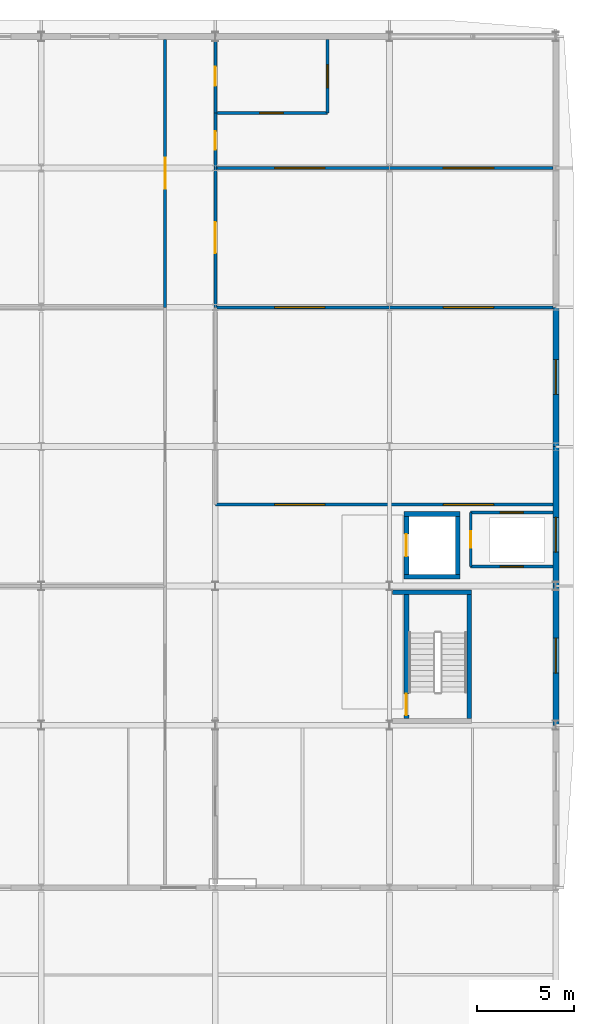
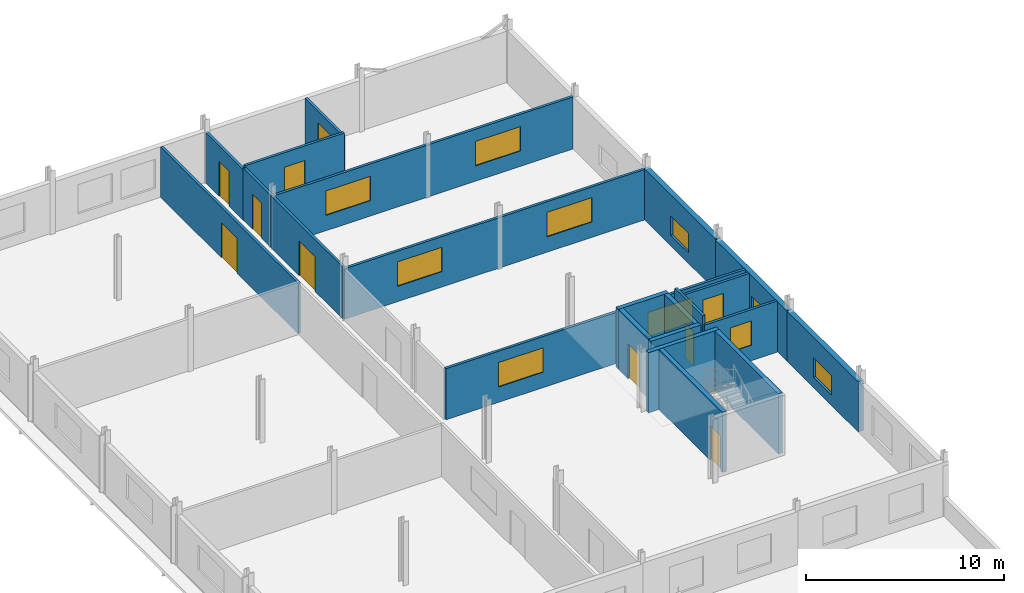
# One storey, part 67 of 78: 22 walls, 13 windows, 7 doors, 20 openings.
"""IFC4 building model written with IfcOpenShell, lengths in metres."""

from ifc_helpers import new_model, si_unit, direction, frame, frame_2d, origin, place, context, subcontext, project, spatial, rectangle, extrude, material, layer, layer_set, type_object, element, fill, save


model = new_model("IFC4")

# Units and contexts
model_context = context("Model", 3, precision=1e-05, world=origin(), true_north=direction((0.0, 1.0)))
body_context = subcontext(model_context, "Body", "Model", "MODEL_VIEW")
ifc_project = project(units=[si_unit("LENGTHUNIT", "METRE"), si_unit("AREAUNIT", "SQUARE_METRE"), si_unit("VOLUMEUNIT", "CUBIC_METRE"), si_unit("PLANEANGLEUNIT", "RADIAN"), si_unit("MASSUNIT", "GRAM", prefix="KILO")], contexts=[model_context])

# Site, building, storey
site_placement = place(None, origin())
site = spatial("IfcSite", under=ifc_project, at=site_placement, CompositionType="ELEMENT")
building_placement = place(site_placement, origin())
building = spatial("IfcBuilding", under=site, at=building_placement, Name="Vinh Khe Railworks Police Headquarters", CompositionType="ELEMENT")
storey_placement = place(building_placement, frame((0.0, 0.0, 13.199951171875)))
storey = spatial("IfcBuildingStorey", under=building, at=storey_placement, Name="L03", CompositionType="ELEMENT", Elevation=13.199951171875)

# Wall
ifc_material_1 = material(Name="Concrete C40/50 (B40)", Category="concrete")
ifc_layer_1 = layer(ifc_material_1, 0.25)
ifc_layer_set_1 = layer_set([ifc_layer_1], Name="Concrete C40/50 (B40)")
wall_type_1 = type_object("IfcWallType", Name="Core Shear Wall 250", PredefinedType="SHEAR", material=ifc_layer_set_1)
wall_1_placement = place(storey_placement, frame((105.14990234375, 137.675048828125, 0.0), z_axis=(0.0, 0.0, 1.0), x_axis=(1.0, 0.0, 0.0)))
element("IfcWall", 1, at=wall_1_placement, inside=storey, type_object=wall_type_1, Name="Core C3 STAIR-N Shear Wall (L03)", PredefinedType="SHEAR", context=body_context, shape_type="SweptSolid", body=[
    extrude(rectangle(XDim=4.10009765625, YDim=0.25, at=frame_2d((2.050048828125, 0.0))), origin(), (0.0, 0.0, 1.0), 3.699951171875),
])

# Wall, opening, door
wall_2_placement = place(storey_placement, frame((105.875, 131.14990234375, 0.0), z_axis=(0.0, 0.0, 1.0), x_axis=(0.0, 1.0, 0.0)))
wall_2 = element("IfcWall", 2, at=wall_2_placement, inside=storey, type_object=wall_type_1, Name="Core C3 STAIR-W Shear Wall (L03)", PredefinedType="SHEAR", context=body_context, shape_type="SweptSolid", body=[
    extrude(rectangle(XDim=6.400146484375, YDim=0.25, at=frame_2d((3.2001953125, 0.0))), origin(), (0.0, 0.0, 1.0), 3.699951171875),
])
opening_1_placement = place(wall_2_placement, frame((0.169921875, 0.0, 0.0)))
opening_1 = element("IfcOpeningElement", 3, at=opening_1_placement, cuts=wall_2, Name="Opening FD-01", PredefinedType="OPENING", context=body_context, shape_type="SweptSolid", body=[
    extrude(rectangle(XDim=1.10009765625, YDim=2.14990234375, at=frame_2d((0.550048828125, 1.074951171875))), frame((0.0, 0.139892578125, 0.0), z_axis=(0.0, -1.0, 0.0), x_axis=(1.0, 0.0, 0.0)), (0.0, 0.0, 1.0), 0.27978515625),
])
ifc_material_2 = material(Name="Painted galvanised steel", Category="steel")
door_type_1 = type_object("IfcDoorType", Name="FD-1100x2150", OperationType="NOTDEFINED", PredefinedType="DOOR", material=ifc_material_2)
door_1_placement = place(opening_1_placement, origin())
door_1 = element("IfcDoor", 4, at=door_1_placement, inside=storey, type_object=door_type_1, Name="Escape Stair ST-03 Fire Door L03", OperationType="SINGLE_SWING_RIGHT", OverallHeight=2.14990234375, OverallWidth=1.10009765625, PredefinedType="DOOR", context=body_context, shape_type="SweptSolid", body=[
    extrude(rectangle(XDim=1.10009765625, YDim=2.14990234375, at=frame_2d((0.550048828125, 1.074951171875))), frame((0.0, 0.02490234375, 0.0), z_axis=(0.0, -1.0, 0.0), x_axis=(1.0, 0.0, 0.0)), (0.0, 0.0, 1.0), 0.050048828125),
])
fill(opening_1, door_1)

# Walls
wall_3_placement = place(storey_placement, frame((109.125, 131.14990234375, 0.0), z_axis=(0.0, 0.0, 1.0), x_axis=(0.0, 1.0, 0.0)))
element("IfcWall", 5, at=wall_3_placement, inside=storey, type_object=wall_type_1, Name="Core C3 STAIR-E Shear Wall (L03)", PredefinedType="SHEAR", context=body_context, shape_type="SweptSolid", body=[
    extrude(rectangle(XDim=6.400146484375, YDim=0.25, at=frame_2d((3.2001953125, 0.0))), origin(), (0.0, 0.0, 1.0), 3.699951171875),
])
for number, where, z_axis, x_axis, name in (
    (6, (105.75, 138.47509765625, 0.0), (0.0, 0.0, 1.0), (1.0, 0.0, 0.0), "Core C3 PL-S Lift Shaft Wall (L03)"),
    (7, (105.75, 141.72509765625, 0.0), (0.0, 0.0, 1.0), (1.0, 0.0, 0.0), "Core C3 PL-N Lift Shaft Wall (L03)"),
):
    element("IfcWall", number, at=place(storey_placement, frame(where, z_axis=z_axis, x_axis=x_axis)), inside=storey, type_object=wall_type_1, Name=name, PredefinedType="SHEAR", context=body_context, shape_type="SweptSolid", body=[
        extrude(rectangle(XDim=2.89990234375, YDim=0.25, at=frame_2d((1.449951171875, 0.0))), origin(), (0.0, 0.0, 1.0), 3.699951171875),
    ])

# Wall, opening, door
wall_4_placement = place(storey_placement, frame((105.875, 138.60009765625, 0.0), z_axis=(0.0, 0.0, 1.0), x_axis=(0.0, 1.0, 0.0)))
wall_4 = element("IfcWall", 8, at=wall_4_placement, inside=storey, type_object=wall_type_1, Name="Core C3 PL-W Lift Shaft Wall (L03)", PredefinedType="SHEAR", context=body_context, shape_type="SweptSolid", body=[
    extrude(rectangle(XDim=3.0, YDim=0.25, at=frame_2d((1.5, 0.0))), origin(), (0.0, 0.0, 1.0), 3.699951171875),
])
opening_2_placement = place(wall_4_placement, frame((0.925048828125, 0.0, 0.0)))
opening_2 = element("IfcOpeningElement", 9, at=opening_2_placement, cuts=wall_4, Name="Opening LD-03", PredefinedType="OPENING", context=body_context, shape_type="SweptSolid", body=[
    extrude(rectangle(XDim=1.14990234375, YDim=2.14990234375, at=frame_2d((0.574951171875, 1.074951171875))), frame((0.0, 0.139892578125, 0.0), z_axis=(0.0, -1.0, 0.0), x_axis=(1.0, 0.0, 0.0)), (0.0, 0.0, 1.0), 0.27978515625),
])
door_type_2 = type_object("IfcDoorType", Name="LD-CUST-1150", OperationType="SLIDING_TO_LEFT", PredefinedType="DOOR", material=ifc_material_2)
door_2_placement = place(opening_2_placement, origin())
door_2 = element("IfcDoor", 10, at=door_2_placement, inside=storey, type_object=door_type_2, Name="Lift Landing Door PL-03 L03", OperationType="SLIDING_TO_LEFT", OverallHeight=2.14990234375, OverallWidth=1.14990234375, PredefinedType="DOOR", context=body_context, shape_type="SweptSolid", body=[
    extrude(rectangle(XDim=1.14990234375, YDim=2.14990234375, at=frame_2d((0.574951171875, 1.074951171875))), frame((0.0, 0.02490234375, 0.0), z_axis=(0.0, -1.0, 0.0), x_axis=(1.0, 0.0, 0.0)), (0.0, 0.0, 1.0), 0.050048828125),
])
fill(opening_2, door_2)

# Wall
wall_5_placement = place(storey_placement, frame((108.52490234375, 138.60009765625, 0.0), z_axis=(0.0, 0.0, 1.0), x_axis=(0.0, 1.0, 0.0)))
element("IfcWall", 11, at=wall_5_placement, inside=storey, type_object=wall_type_1, Name="Core C3 PL-E Lift Shaft Wall (L03)", PredefinedType="SHEAR", context=body_context, shape_type="SweptSolid", body=[
    extrude(rectangle(XDim=3.0, YDim=0.25, at=frame_2d((1.5, 0.0))), origin(), (0.0, 0.0, 1.0), 3.699951171875),
])

# Wall, opening, window
ifc_material_3 = material(Name="Clay brickwork", Category="masonry")
ifc_layer_2 = layer(ifc_material_3, 0.300048828125)
ifc_layer_set_2 = layer_set([ifc_layer_2], Name="Clay brickwork")
wall_type_2 = type_object("IfcWallType", Name="EW-BRK-300", PredefinedType="SOLIDWALL", material=ifc_layer_set_2)
wall_6_placement = place(storey_placement, frame((113.60009765625, 130.800048828125, 0.0), z_axis=(0.0, 0.0, 1.0), x_axis=(0.0, 1.0, 0.0)))
wall_6 = element("IfcWall", 12, at=wall_6_placement, inside=storey, type_object=wall_type_2, Name="Exterior Brick Wall EW-L03-V6E-02", PredefinedType="SOLIDWALL", context=body_context, shape_type="SweptSolid", body=[
    extrude(rectangle(XDim=7.199951171875, YDim=0.300048828125, at=frame_2d((3.60009765625, 0.0))), origin(), (0.0, 0.0, 1.0), 3.094970703125),
])
opening_3_placement = place(wall_6_placement, frame((2.699951171875, 0.0, 0.64990234375)))
opening_3 = element("IfcOpeningElement", 13, at=opening_3_placement, cuts=wall_6, Name="Opening WN-08", PredefinedType="OPENING", context=body_context, shape_type="SweptSolid", body=[
    extrude(rectangle(XDim=1.800048828125, YDim=1.199951171875, at=frame_2d((0.89990234375, 0.60009765625))), frame((0.0, 0.1650390625, 0.0), z_axis=(0.0, -1.0, 0.0), x_axis=(1.0, 0.0, 0.0)), (0.0, 0.0, 1.0), 0.329833984375),
])
ifc_material_4 = material(Name="Double-glazed solar-control glass in dark steel frame", Category="steel")
window_type_1 = type_object("IfcWindowType", Name="WIN-WN-08", PartitioningType="SINGLE_PANEL", PredefinedType="WINDOW", material=ifc_material_4)
window_1_placement = place(opening_3_placement, origin())
window_1 = element("IfcWindow", 14, at=window_1_placement, inside=storey, type_object=window_type_1, Name="Casement Window WN-08", OverallHeight=1.199951171875, OverallWidth=1.800048828125, PartitioningType="SINGLE_PANEL", PredefinedType="WINDOW", context=body_context, shape_type="SweptSolid", body=[
    extrude(rectangle(XDim=1.800048828125, YDim=1.199951171875, at=frame_2d((0.89990234375, 0.60009765625))), frame((0.0, 0.030029296875, 0.0), z_axis=(0.0, -1.0, 0.0), x_axis=(1.0, 0.0, 0.0)), (0.0, 0.0, 1.0), 0.06005859375),
])
fill(opening_3, window_1)

wall_7_placement = place(storey_placement, frame((113.60009765625, 138.0, 0.0), z_axis=(0.0, 0.0, 1.0), x_axis=(0.0, 1.0, 0.0)))
wall_7 = element("IfcWall", 15, at=wall_7_placement, inside=storey, type_object=wall_type_2, Name="Exterior Brick Wall EW-L03-V6E-03", PredefinedType="SOLIDWALL", context=body_context, shape_type="SweptSolid", body=[
    extrude(rectangle(XDim=7.199951171875, YDim=0.300048828125, at=frame_2d((3.60009765625, 0.0))), origin(), (0.0, 0.0, 1.0), 3.094970703125),
])
opening_4_placement = place(wall_7_placement, frame((1.75, 0.0, 0.64990234375)))
opening_4 = element("IfcOpeningElement", 16, at=opening_4_placement, cuts=wall_7, Name="Opening WN-08", PredefinedType="OPENING", context=body_context, shape_type="SweptSolid", body=[
    extrude(rectangle(XDim=1.800048828125, YDim=1.199951171875, at=frame_2d((0.89990234375, 0.60009765625))), frame((0.0, 0.1650390625, 0.0), z_axis=(0.0, -1.0, 0.0), x_axis=(1.0, 0.0, 0.0)), (0.0, 0.0, 1.0), 0.329833984375),
])
window_2_placement = place(opening_4_placement, origin())
window_2 = element("IfcWindow", 17, at=window_2_placement, inside=storey, type_object=window_type_1, Name="Casement Window WN-08", OverallHeight=1.199951171875, OverallWidth=1.800048828125, PartitioningType="SINGLE_PANEL", PredefinedType="WINDOW", context=body_context, shape_type="SweptSolid", body=[
    extrude(rectangle(XDim=1.800048828125, YDim=1.199951171875, at=frame_2d((0.89990234375, 0.60009765625))), frame((0.0, 0.030029296875, 0.0), z_axis=(0.0, -1.0, 0.0), x_axis=(1.0, 0.0, 0.0)), (0.0, 0.0, 1.0), 0.06005859375),
])
fill(opening_4, window_2)

wall_8_placement = place(storey_placement, frame((113.60009765625, 145.199951171875, 0.0), z_axis=(0.0, 0.0, 1.0), x_axis=(0.0, 1.0, 0.0)))
wall_8 = element("IfcWall", 18, at=wall_8_placement, inside=storey, type_object=wall_type_2, Name="Exterior Brick Wall EW-L03-V6E-04", PredefinedType="SOLIDWALL", context=body_context, shape_type="SweptSolid", body=[
    extrude(rectangle(XDim=7.199951171875, YDim=0.300048828125, at=frame_2d((3.60009765625, 0.0))), origin(), (0.0, 0.0, 1.0), 3.14501953125),
])
opening_5_placement = place(wall_8_placement, frame((2.699951171875, 0.0, 0.64990234375)))
opening_5 = element("IfcOpeningElement", 19, at=opening_5_placement, cuts=wall_8, Name="Opening WN-08", PredefinedType="OPENING", context=body_context, shape_type="SweptSolid", body=[
    extrude(rectangle(XDim=1.800048828125, YDim=1.199951171875, at=frame_2d((0.89990234375, 0.60009765625))), frame((0.0, 0.1650390625, 0.0), z_axis=(0.0, -1.0, 0.0), x_axis=(1.0, 0.0, 0.0)), (0.0, 0.0, 1.0), 0.329833984375),
])
window_3_placement = place(opening_5_placement, origin())
window_3 = element("IfcWindow", 20, at=window_3_placement, inside=storey, type_object=window_type_1, Name="Casement Window WN-08", OverallHeight=1.199951171875, OverallWidth=1.800048828125, PartitioningType="SINGLE_PANEL", PredefinedType="WINDOW", context=body_context, shape_type="SweptSolid", body=[
    extrude(rectangle(XDim=1.800048828125, YDim=1.199951171875, at=frame_2d((0.89990234375, 0.60009765625))), frame((0.0, 0.030029296875, 0.0), z_axis=(0.0, -1.0, 0.0), x_axis=(1.0, 0.0, 0.0)), (0.0, 0.0, 1.0), 0.06005859375),
])
fill(opening_5, window_3)

# Wall, openings, windows
ifc_material_5 = material(Name="Gypsum plasterboard on steel stud", Category="steel")
ifc_layer_3 = layer(ifc_material_5, 0.1201171875)
ifc_layer_set_3 = layer_set([ifc_layer_3], Name="Gypsum plasterboard on steel stud")
wall_type_3 = type_object("IfcWallType", Name="IW-PART-120", PredefinedType="PARTITIONING", material=ifc_layer_set_3)
wall_9_placement = place(storey_placement, frame((96.0, 142.199951171875, 0.0), z_axis=(0.0, 0.0, 1.0), x_axis=(1.0, 0.0, 0.0)))
wall_9 = element("IfcWall", 21, at=wall_9_placement, inside=storey, type_object=wall_type_3, Name="Interior Partition W-L03-V6B-CLS2-DIV", PredefinedType="PARTITIONING", context=body_context, shape_type="SweptSolid", body=[
    extrude(rectangle(XDim=17.43994140625, YDim=0.14990234375, at=frame_2d((8.719970703125, 0.0))), origin(), (0.0, 0.0, 1.0), 3.14501953125),
])
opening_6_placement = place(wall_9_placement, frame((3.06005859375, 0.0, 0.949951171875)))
opening_6 = element("IfcOpeningElement", 22, at=opening_6_placement, cuts=wall_9, Name="Opening WN-07", PredefinedType="OPENING", context=body_context, shape_type="SweptSolid", body=[
    extrude(rectangle(XDim=2.60009765625, YDim=1.5, at=frame_2d((1.300048828125, 0.75))), frame((0.0, 0.08984375, 0.0), z_axis=(0.0, -1.0, 0.0), x_axis=(1.0, 0.0, 0.0)), (0.0, 0.0, 1.0), 0.1796875),
])
opening_7_placement = place(wall_9_placement, frame((11.780029296875, 0.0, 0.949951171875)))
opening_7 = element("IfcOpeningElement", 23, at=opening_7_placement, cuts=wall_9, Name="Opening WN-07", PredefinedType="OPENING", context=body_context, shape_type="SweptSolid", body=[
    extrude(rectangle(XDim=2.60009765625, YDim=1.5, at=frame_2d((1.300048828125, 0.75))), frame((0.0, 0.08984375, 0.0), z_axis=(0.0, -1.0, 0.0), x_axis=(1.0, 0.0, 0.0)), (0.0, 0.0, 1.0), 0.1796875),
])
window_type_2 = type_object("IfcWindowType", Name="WIN-WN-07", PartitioningType="DOUBLE_PANEL_HORIZONTAL", PredefinedType="WINDOW", material=ifc_material_4)
window_4_placement = place(opening_6_placement, origin())
window_4 = element("IfcWindow", 24, at=window_4_placement, inside=storey, type_object=window_type_2, Name="Interior Acoustic Vision Window WN-07", OverallHeight=1.5, OverallWidth=2.60009765625, PartitioningType="SINGLE_PANEL", PredefinedType="WINDOW", context=body_context, shape_type="SweptSolid", body=[
    extrude(rectangle(XDim=2.60009765625, YDim=1.5, at=frame_2d((1.300048828125, 0.75))), frame((0.0, 0.030029296875, 0.0), z_axis=(0.0, -1.0, 0.0), x_axis=(1.0, 0.0, 0.0)), (0.0, 0.0, 1.0), 0.06005859375),
])
fill(opening_6, window_4)
window_5_placement = place(opening_7_placement, origin())
window_5 = element("IfcWindow", 25, at=window_5_placement, inside=storey, type_object=window_type_2, Name="Interior Acoustic Vision Window WN-07", OverallHeight=1.5, OverallWidth=2.60009765625, PartitioningType="SINGLE_PANEL", PredefinedType="WINDOW", context=body_context, shape_type="SweptSolid", body=[
    extrude(rectangle(XDim=2.60009765625, YDim=1.5, at=frame_2d((1.300048828125, 0.75))), frame((0.0, 0.030029296875, 0.0), z_axis=(0.0, -1.0, 0.0), x_axis=(1.0, 0.0, 0.0)), (0.0, 0.0, 1.0), 0.06005859375),
])
fill(opening_7, window_5)

wall_10_placement = place(storey_placement, frame((96.0, 152.39990234375, 0.0), z_axis=(0.0, 0.0, 1.0), x_axis=(1.0, 0.0, 0.0)))
wall_10 = element("IfcWall", 26, at=wall_10_placement, inside=storey, type_object=wall_type_3, Name="Interior Partition W-L03-V6B-CLS3-DIV", PredefinedType="PARTITIONING", context=body_context, shape_type="SweptSolid", body=[
    extrude(rectangle(XDim=17.43994140625, YDim=0.14990234375, at=frame_2d((8.719970703125, 0.0))), origin(), (0.0, 0.0, 1.0), 3.10498046875),
])
opening_8_placement = place(wall_10_placement, frame((3.06005859375, 0.0, 0.949951171875)))
opening_8 = element("IfcOpeningElement", 27, at=opening_8_placement, cuts=wall_10, Name="Opening WN-07", PredefinedType="OPENING", context=body_context, shape_type="SweptSolid", body=[
    extrude(rectangle(XDim=2.60009765625, YDim=1.5, at=frame_2d((1.300048828125, 0.75))), frame((0.0, 0.08984375, 0.0), z_axis=(0.0, -1.0, 0.0), x_axis=(1.0, 0.0, 0.0)), (0.0, 0.0, 1.0), 0.1796875),
])
opening_9_placement = place(wall_10_placement, frame((11.780029296875, 0.0, 0.949951171875)))
opening_9 = element("IfcOpeningElement", 28, at=opening_9_placement, cuts=wall_10, Name="Opening WN-07", PredefinedType="OPENING", context=body_context, shape_type="SweptSolid", body=[
    extrude(rectangle(XDim=2.60009765625, YDim=1.5, at=frame_2d((1.300048828125, 0.75))), frame((0.0, 0.08984375, 0.0), z_axis=(0.0, -1.0, 0.0), x_axis=(1.0, 0.0, 0.0)), (0.0, 0.0, 1.0), 0.1796875),
])
window_6_placement = place(opening_8_placement, origin())
window_6 = element("IfcWindow", 29, at=window_6_placement, inside=storey, type_object=window_type_2, Name="Interior Acoustic Vision Window WN-07", OverallHeight=1.5, OverallWidth=2.60009765625, PartitioningType="SINGLE_PANEL", PredefinedType="WINDOW", context=body_context, shape_type="SweptSolid", body=[
    extrude(rectangle(XDim=2.60009765625, YDim=1.5, at=frame_2d((1.300048828125, 0.75))), frame((0.0, 0.030029296875, 0.0), z_axis=(0.0, -1.0, 0.0), x_axis=(1.0, 0.0, 0.0)), (0.0, 0.0, 1.0), 0.06005859375),
])
fill(opening_8, window_6)
window_7_placement = place(opening_9_placement, origin())
window_7 = element("IfcWindow", 30, at=window_7_placement, inside=storey, type_object=window_type_2, Name="Interior Acoustic Vision Window WN-07", OverallHeight=1.5, OverallWidth=2.60009765625, PartitioningType="SINGLE_PANEL", PredefinedType="WINDOW", context=body_context, shape_type="SweptSolid", body=[
    extrude(rectangle(XDim=2.60009765625, YDim=1.5, at=frame_2d((1.300048828125, 0.75))), frame((0.0, 0.030029296875, 0.0), z_axis=(0.0, -1.0, 0.0), x_axis=(1.0, 0.0, 0.0)), (0.0, 0.0, 1.0), 0.06005859375),
])
fill(opening_9, window_7)

# Wall, opening, window
wall_11_placement = place(storey_placement, frame((96.0, 162.447021484375, 0.0), z_axis=(0.0, 0.0, 1.0), x_axis=(1.0, 0.0, 0.0)))
wall_11 = element("IfcWall", 31, at=wall_11_placement, inside=storey, type_object=wall_type_3, Name="Interior Partition W-L03-V6B-V6WC3S-DIV", PredefinedType="PARTITIONING", context=body_context, shape_type="SweptSolid", body=[
    extrude(rectangle(XDim=5.800048828125, YDim=0.14990234375, at=frame_2d((2.89990234375, 0.0))), origin(), (0.0, 0.0, 1.0), 3.344970703125),
])
opening_10_placement = place(wall_11_placement, frame((2.300048828125, 0.0, 0.949951171875)))
opening_10 = element("IfcOpeningElement", 32, at=opening_10_placement, cuts=wall_11, Name="Opening WN-10", PredefinedType="OPENING", context=body_context, shape_type="SweptSolid", body=[
    extrude(rectangle(XDim=1.199951171875, YDim=1.5, at=frame_2d((0.60009765625, 0.75))), frame((0.0, 0.08984375, 0.0), z_axis=(0.0, -1.0, 0.0), x_axis=(1.0, 0.0, 0.0)), (0.0, 0.0, 1.0), 0.1796875),
])
window_type_3 = type_object("IfcWindowType", Name="WIN-WN-10", PartitioningType="SINGLE_PANEL", PredefinedType="WINDOW", material=ifc_material_4)
window_8_placement = place(opening_10_placement, origin())
window_8 = element("IfcWindow", 33, at=window_8_placement, inside=storey, type_object=window_type_3, Name="Interior Acoustic Vision Window WN-10", OverallHeight=1.5, OverallWidth=1.199951171875, PartitioningType="SINGLE_PANEL", PredefinedType="WINDOW", context=body_context, shape_type="SweptSolid", body=[
    extrude(rectangle(XDim=1.199951171875, YDim=1.5, at=frame_2d((0.60009765625, 0.75))), frame((0.0, 0.030029296875, 0.0), z_axis=(0.0, -1.0, 0.0), x_axis=(1.0, 0.0, 0.0)), (0.0, 0.0, 1.0), 0.06005859375),
])
fill(opening_10, window_8)

wall_12_placement = place(storey_placement, frame((101.800048828125, 162.447021484375, 0.0), z_axis=(0.0, 0.0, 1.0), x_axis=(0.0, 1.0, 0.0)))
wall_12 = element("IfcWall", 34, at=wall_12_placement, inside=storey, type_object=wall_type_3, Name="Interior Partition W-L03-V6B-V6WC3-REAR", PredefinedType="PARTITIONING", context=body_context, shape_type="SweptSolid", body=[
    extrude(rectangle(XDim=3.79296875, YDim=0.14990234375, at=frame_2d((1.896484375, 0.0))), origin(), (0.0, 0.0, 1.0), 3.155029296875),
])
opening_11_placement = place(wall_12_placement, frame((1.29638671875, 0.0, 0.949951171875)))
opening_11 = element("IfcOpeningElement", 35, at=opening_11_placement, cuts=wall_12, Name="Opening WN-10", PredefinedType="OPENING", context=body_context, shape_type="SweptSolid", body=[
    extrude(rectangle(XDim=1.199951171875, YDim=1.5, at=frame_2d((0.60009765625, 0.75))), frame((0.0, 0.08984375, 0.0), z_axis=(0.0, -1.0, 0.0), x_axis=(1.0, 0.0, 0.0)), (0.0, 0.0, 1.0), 0.1796875),
])
window_9_placement = place(opening_11_placement, origin())
window_9 = element("IfcWindow", 36, at=window_9_placement, inside=storey, type_object=window_type_3, Name="Interior Acoustic Vision Window WN-10", OverallHeight=1.5, OverallWidth=1.199951171875, PartitioningType="SINGLE_PANEL", PredefinedType="WINDOW", context=body_context, shape_type="SweptSolid", body=[
    extrude(rectangle(XDim=1.199951171875, YDim=1.5, at=frame_2d((0.60009765625, 0.75))), frame((0.0, 0.030029296875, 0.0), z_axis=(0.0, -1.0, 0.0), x_axis=(1.0, 0.0, 0.0)), (0.0, 0.0, 1.0), 0.06005859375),
])
fill(opening_11, window_9)

# Wall, openings, windows
wall_13_placement = place(storey_placement, frame((96.0, 159.60009765625, 0.0), z_axis=(0.0, 0.0, 1.0), x_axis=(1.0, 0.0, 0.0)))
wall_13 = element("IfcWall", 37, at=wall_13_placement, inside=storey, type_object=wall_type_3, Name="Interior Partition W-L03-V6B-V6WC3-DIV", PredefinedType="PARTITIONING", context=body_context, shape_type="SweptSolid", body=[
    extrude(rectangle(XDim=17.43994140625, YDim=0.14990234375, at=frame_2d((8.719970703125, 0.0))), origin(), (0.0, 0.0, 1.0), 3.205078125),
])
opening_12_placement = place(wall_13_placement, frame((3.06005859375, 0.0, 0.949951171875)))
opening_12 = element("IfcOpeningElement", 38, at=opening_12_placement, cuts=wall_13, Name="Opening WN-07", PredefinedType="OPENING", context=body_context, shape_type="SweptSolid", body=[
    extrude(rectangle(XDim=2.60009765625, YDim=1.5, at=frame_2d((1.300048828125, 0.75))), frame((0.0, 0.08984375, 0.0), z_axis=(0.0, -1.0, 0.0), x_axis=(1.0, 0.0, 0.0)), (0.0, 0.0, 1.0), 0.1796875),
])
opening_13_placement = place(wall_13_placement, frame((11.780029296875, 0.0, 0.949951171875)))
opening_13 = element("IfcOpeningElement", 39, at=opening_13_placement, cuts=wall_13, Name="Opening WN-07", PredefinedType="OPENING", context=body_context, shape_type="SweptSolid", body=[
    extrude(rectangle(XDim=2.60009765625, YDim=1.5, at=frame_2d((1.300048828125, 0.75))), frame((0.0, 0.08984375, 0.0), z_axis=(0.0, -1.0, 0.0), x_axis=(1.0, 0.0, 0.0)), (0.0, 0.0, 1.0), 0.1796875),
])
window_10_placement = place(opening_12_placement, origin())
window_10 = element("IfcWindow", 40, at=window_10_placement, inside=storey, type_object=window_type_2, Name="Interior Acoustic Vision Window WN-07", OverallHeight=1.5, OverallWidth=2.60009765625, PartitioningType="SINGLE_PANEL", PredefinedType="WINDOW", context=body_context, shape_type="SweptSolid", body=[
    extrude(rectangle(XDim=2.60009765625, YDim=1.5, at=frame_2d((1.300048828125, 0.75))), frame((0.0, 0.030029296875, 0.0), z_axis=(0.0, -1.0, 0.0), x_axis=(1.0, 0.0, 0.0)), (0.0, 0.0, 1.0), 0.06005859375),
])
fill(opening_12, window_10)
window_11_placement = place(opening_13_placement, origin())
window_11 = element("IfcWindow", 41, at=window_11_placement, inside=storey, type_object=window_type_2, Name="Interior Acoustic Vision Window WN-07", OverallHeight=1.5, OverallWidth=2.60009765625, PartitioningType="SINGLE_PANEL", PredefinedType="WINDOW", context=body_context, shape_type="SweptSolid", body=[
    extrude(rectangle(XDim=2.60009765625, YDim=1.5, at=frame_2d((1.300048828125, 0.75))), frame((0.0, 0.030029296875, 0.0), z_axis=(0.0, -1.0, 0.0), x_axis=(1.0, 0.0, 0.0)), (0.0, 0.0, 1.0), 0.06005859375),
])
fill(opening_13, window_11)

# Wall, opening, window
ifc_material_6 = material(Name="Gypsum plasterboard on acoustic steel stud", Category="steel")
ifc_layer_4 = layer(ifc_material_6, 0.14990234375)
ifc_layer_set_4 = layer_set([ifc_layer_4], Name="Gypsum plasterboard on acoustic steel stud")
wall_type_4 = type_object("IfcWallType", Name="IW-PART-150", PredefinedType="PARTITIONING", material=ifc_layer_set_4)
wall_14_placement = place(storey_placement, frame((109.199951171875, 139.0, 0.0), z_axis=(0.0, 0.0, 1.0), x_axis=(1.0, 0.0, 0.0)))
wall_14 = element("IfcWall", 42, at=wall_14_placement, inside=storey, type_object=wall_type_4, Name="Interior Partition W-RSR-C3-S-L03", PredefinedType="PARTITIONING", context=body_context, shape_type="SweptSolid", body=[
    extrude(rectangle(XDim=4.239990234375, YDim=0.14990234375, at=frame_2d((2.1201171875, 0.0))), origin(), (0.0, 0.0, 1.0), 3.14501953125),
])
opening_14_placement = place(wall_14_placement, frame((1.52001953125, 0.0, 0.949951171875)))
opening_14 = element("IfcOpeningElement", 43, at=opening_14_placement, cuts=wall_14, Name="Opening WN-10", PredefinedType="OPENING", context=body_context, shape_type="SweptSolid", body=[
    extrude(rectangle(XDim=1.199951171875, YDim=1.5, at=frame_2d((0.60009765625, 0.75))), frame((0.0, 0.08984375, 0.0), z_axis=(0.0, -1.0, 0.0), x_axis=(1.0, 0.0, 0.0)), (0.0, 0.0, 1.0), 0.1796875),
])
window_12_placement = place(opening_14_placement, origin())
window_12 = element("IfcWindow", 44, at=window_12_placement, inside=storey, type_object=window_type_3, Name="Interior Acoustic Vision Window WN-10", OverallHeight=1.5, OverallWidth=1.199951171875, PartitioningType="SINGLE_PANEL", PredefinedType="WINDOW", context=body_context, shape_type="SweptSolid", body=[
    extrude(rectangle(XDim=1.199951171875, YDim=1.5, at=frame_2d((0.60009765625, 0.75))), frame((0.0, 0.030029296875, 0.0), z_axis=(0.0, -1.0, 0.0), x_axis=(1.0, 0.0, 0.0)), (0.0, 0.0, 1.0), 0.06005859375),
])
fill(opening_14, window_12)

wall_15_placement = place(storey_placement, frame((109.199951171875, 141.800048828125, 0.0), z_axis=(0.0, 0.0, 1.0), x_axis=(1.0, 0.0, 0.0)))
wall_15 = element("IfcWall", 45, at=wall_15_placement, inside=storey, type_object=wall_type_4, Name="Interior Partition W-RSR-C3-N-L03", PredefinedType="PARTITIONING", context=body_context, shape_type="SweptSolid", body=[
    extrude(rectangle(XDim=4.239990234375, YDim=0.14990234375, at=frame_2d((2.1201171875, 0.0))), origin(), (0.0, 0.0, 1.0), 3.14501953125),
])
opening_15_placement = place(wall_15_placement, frame((1.52001953125, 0.0, 0.949951171875)))
opening_15 = element("IfcOpeningElement", 46, at=opening_15_placement, cuts=wall_15, Name="Opening WN-10", PredefinedType="OPENING", context=body_context, shape_type="SweptSolid", body=[
    extrude(rectangle(XDim=1.199951171875, YDim=1.5, at=frame_2d((0.60009765625, 0.75))), frame((0.0, 0.08984375, 0.0), z_axis=(0.0, -1.0, 0.0), x_axis=(1.0, 0.0, 0.0)), (0.0, 0.0, 1.0), 0.1796875),
])
window_13_placement = place(opening_15_placement, origin())
window_13 = element("IfcWindow", 47, at=window_13_placement, inside=storey, type_object=window_type_3, Name="Interior Acoustic Vision Window WN-10", OverallHeight=1.5, OverallWidth=1.199951171875, PartitioningType="SINGLE_PANEL", PredefinedType="WINDOW", context=body_context, shape_type="SweptSolid", body=[
    extrude(rectangle(XDim=1.199951171875, YDim=1.5, at=frame_2d((0.60009765625, 0.75))), frame((0.0, 0.030029296875, 0.0), z_axis=(0.0, -1.0, 0.0), x_axis=(1.0, 0.0, 0.0)), (0.0, 0.0, 1.0), 0.06005859375),
])
fill(opening_15, window_13)

# Wall, opening, door
wall_16_placement = place(storey_placement, frame((109.199951171875, 139.0, 0.0), z_axis=(0.0, 0.0, 1.0), x_axis=(0.0, 1.0, 0.0)))
wall_16 = element("IfcWall", 48, at=wall_16_placement, inside=storey, type_object=wall_type_4, Name="Interior Partition W-RSR-C3-W-L03", PredefinedType="PARTITIONING", context=body_context, shape_type="SweptSolid", body=[
    extrude(rectangle(XDim=2.800048828125, YDim=0.14990234375, at=frame_2d((1.39990234375, 0.0))), origin(), (0.0, 0.0, 1.0), 3.695068359375),
])
opening_16_placement = place(wall_16_placement, frame((0.97509765625, 0.0, 0.0)))
opening_16 = element("IfcOpeningElement", 49, at=opening_16_placement, cuts=wall_16, Name="Opening FD-04", PredefinedType="OPENING", context=body_context, shape_type="SweptSolid", body=[
    extrude(rectangle(XDim=0.85009765625, YDim=2.10009765625, at=frame_2d((0.425048828125, 1.050048828125))), frame((0.0, 0.08984375, 0.0), z_axis=(0.0, -1.0, 0.0), x_axis=(1.0, 0.0, 0.0)), (0.0, 0.0, 1.0), 0.1796875),
])
door_type_3 = type_object("IfcDoorType", Name="FD-850x2100", OperationType="NOTDEFINED", PredefinedType="DOOR", material=ifc_material_2)
door_3_placement = place(opening_16_placement, frame((0.85009765625, 0.0, 0.0), z_axis=(0.0, 0.0, 1.0), x_axis=(-1.0, 0.0, 0.0)))
door_3 = element("IfcDoor", 50, at=door_3_placement, inside=storey, type_object=door_type_3, Name="Fume Riser Access Door", OperationType="SINGLE_SWING_RIGHT", OverallHeight=2.10009765625, OverallWidth=0.85009765625, PredefinedType="DOOR", context=body_context, shape_type="SweptSolid", body=[
    extrude(rectangle(XDim=0.85009765625, YDim=2.10009765625, at=frame_2d((0.425048828125, 1.050048828125))), frame((0.0, 0.02490234375, 0.0), z_axis=(0.0, -1.0, 0.0), x_axis=(1.0, 0.0, 0.0)), (0.0, 0.0, 1.0), 0.050048828125),
])
fill(opening_16, door_3)

wall_17_placement = place(storey_placement, frame((93.39990234375, 152.39990234375, 0.0), z_axis=(0.0, 0.0, 1.0), x_axis=(0.0, 1.0, 0.0)))
wall_17 = element("IfcWall", 51, at=wall_17_placement, inside=storey, type_object=wall_type_4, Name="Interior Partition W-L03-V6B-CLS1-CW", PredefinedType="PARTITIONING", context=body_context, shape_type="SweptSolid", body=[
    extrude(rectangle(XDim=13.840087890625, YDim=0.14990234375, at=frame_2d((6.919921875, 0.0))), origin(), (0.0, 0.0, 1.0), 3.10498046875),
])
opening_17_placement = place(wall_17_placement, frame((6.1201171875, 0.0, 0.0)))
opening_17 = element("IfcOpeningElement", 52, at=opening_17_placement, cuts=wall_17, Name="Opening D-03", PredefinedType="OPENING", context=body_context, shape_type="SweptSolid", body=[
    extrude(rectangle(XDim=1.60009765625, YDim=2.14990234375, at=frame_2d((0.800048828125, 1.074951171875))), frame((0.0, 0.08984375, 0.0), z_axis=(0.0, -1.0, 0.0), x_axis=(1.0, 0.0, 0.0)), (0.0, 0.0, 1.0), 0.1796875),
])
door_type_4 = type_object("IfcDoorType", Name="ID-1600x2150", OperationType="DOUBLE_DOOR_SINGLE_SWING", PredefinedType="DOOR", material=ifc_material_2)
door_4_placement = place(opening_17_placement, origin())
door_4 = element("IfcDoor", 53, at=door_4_placement, inside=storey, type_object=door_type_4, Name="Police Training Classroom 01 Door", OperationType="DOUBLE_DOOR_SINGLE_SWING", OverallHeight=2.14990234375, OverallWidth=1.60009765625, PredefinedType="DOOR", context=body_context, shape_type="SweptSolid", body=[
    extrude(rectangle(XDim=1.60009765625, YDim=2.14990234375, at=frame_2d((0.800048828125, 1.074951171875))), frame((0.0, 0.02490234375, 0.0), z_axis=(0.0, -1.0, 0.0), x_axis=(1.0, 0.0, 0.0)), (0.0, 0.0, 1.0), 0.050048828125),
])
fill(opening_17, door_4)

wall_18_placement = place(storey_placement, frame((96.0, 152.39990234375, 0.0), z_axis=(0.0, 0.0, 1.0), x_axis=(0.0, 1.0, 0.0)))
wall_18 = element("IfcWall", 54, at=wall_18_placement, inside=storey, type_object=wall_type_4, Name="Interior Partition W-L03-V6B-CLS3-CE", PredefinedType="PARTITIONING", context=body_context, shape_type="SweptSolid", body=[
    extrude(rectangle(XDim=7.2001953125, YDim=0.14990234375, at=frame_2d((3.60009765625, 0.0))), origin(), (0.0, 0.0, 1.0), 3.195068359375),
])
opening_18_placement = place(wall_18_placement, frame((2.800048828125, 0.0, 0.0)))
opening_18 = element("IfcOpeningElement", 55, at=opening_18_placement, cuts=wall_18, Name="Opening D-03", PredefinedType="OPENING", context=body_context, shape_type="SweptSolid", body=[
    extrude(rectangle(XDim=1.60009765625, YDim=2.14990234375, at=frame_2d((0.800048828125, 1.074951171875))), frame((0.0, 0.08984375, 0.0), z_axis=(0.0, -1.0, 0.0), x_axis=(1.0, 0.0, 0.0)), (0.0, 0.0, 1.0), 0.1796875),
])
door_5_placement = place(opening_18_placement, origin())
door_5 = element("IfcDoor", 56, at=door_5_placement, inside=storey, type_object=door_type_4, Name="Police Training Classroom 03 Door", OperationType="DOUBLE_DOOR_SINGLE_SWING", OverallHeight=2.14990234375, OverallWidth=1.60009765625, PredefinedType="DOOR", context=body_context, shape_type="SweptSolid", body=[
    extrude(rectangle(XDim=1.60009765625, YDim=2.14990234375, at=frame_2d((0.800048828125, 1.074951171875))), frame((0.0, 0.02490234375, 0.0), z_axis=(0.0, -1.0, 0.0), x_axis=(1.0, 0.0, 0.0)), (0.0, 0.0, 1.0), 0.050048828125),
])
fill(opening_18, door_5)

wall_19_placement = place(storey_placement, frame((96.0, 159.60009765625, 0.0), z_axis=(0.0, 0.0, 1.0), x_axis=(0.0, 1.0, 0.0)))
wall_19 = element("IfcWall", 57, at=wall_19_placement, inside=storey, type_object=wall_type_4, Name="Interior Partition W-L03-V6B-V6WC3S-CE", PredefinedType="PARTITIONING", context=body_context, shape_type="SweptSolid", body=[
    extrude(rectangle(XDim=2.846923828125, YDim=0.14990234375, at=frame_2d((1.42333984375, 0.0))), origin(), (0.0, 0.0, 1.0), 3.205078125),
])
opening_19_placement = place(wall_19_placement, frame((0.948974609375, 0.0, 0.0)))
opening_19 = element("IfcOpeningElement", 58, at=opening_19_placement, cuts=wall_19, Name="Opening D-01", PredefinedType="OPENING", context=body_context, shape_type="SweptSolid", body=[
    extrude(rectangle(XDim=0.949951171875, YDim=2.14990234375, at=frame_2d((0.47509765625, 1.074951171875))), frame((0.0, 0.08984375, 0.0), z_axis=(0.0, -1.0, 0.0), x_axis=(1.0, 0.0, 0.0)), (0.0, 0.0, 1.0), 0.1796875),
])
ifc_material_7 = material(Name="Seasoned hardwood timber", Category="wood")
door_type_5 = type_object("IfcDoorType", Name="ID-950x2150", OperationType="NOTDEFINED", PredefinedType="DOOR", material=ifc_material_7)
door_6_placement = place(opening_19_placement, origin())
door_6 = element("IfcDoor", 59, at=door_6_placement, inside=storey, type_object=door_type_5, Name="Floor Supplies Store Door", OperationType="SINGLE_SWING_RIGHT", OverallHeight=2.14990234375, OverallWidth=0.949951171875, PredefinedType="DOOR", context=body_context, shape_type="SweptSolid", body=[
    extrude(rectangle(XDim=0.949951171875, YDim=2.14990234375, at=frame_2d((0.47509765625, 1.074951171875))), frame((0.0, 0.02490234375, 0.0), z_axis=(0.0, -1.0, 0.0), x_axis=(1.0, 0.0, 0.0)), (0.0, 0.0, 1.0), 0.050048828125),
])
fill(opening_19, door_6)

wall_20_placement = place(storey_placement, frame((96.0, 162.447021484375, 0.0), z_axis=(0.0, 0.0, 1.0), x_axis=(0.0, 1.0, 0.0)))
wall_20 = element("IfcWall", 60, at=wall_20_placement, inside=storey, type_object=wall_type_4, Name="Interior Partition W-L03-V6B-V6WC3-CE", PredefinedType="PARTITIONING", context=body_context, shape_type="SweptSolid", body=[
    extrude(rectangle(XDim=3.79296875, YDim=0.14990234375, at=frame_2d((1.896484375, 0.0))), origin(), (0.0, 0.0, 1.0), 3.10498046875),
])
opening_20_placement = place(wall_20_placement, frame((1.39697265625, 0.0, 0.0)))
opening_20 = element("IfcOpeningElement", 61, at=opening_20_placement, cuts=wall_20, Name="Opening D-05", PredefinedType="OPENING", context=body_context, shape_type="SweptSolid", body=[
    extrude(rectangle(XDim=1.0, YDim=2.14990234375, at=frame_2d((0.5, 1.074951171875))), frame((0.0, 0.08984375, 0.0), z_axis=(0.0, -1.0, 0.0), x_axis=(1.0, 0.0, 0.0)), (0.0, 0.0, 1.0), 0.1796875),
])
door_type_6 = type_object("IfcDoorType", Name="ID-1000x2150", OperationType="NOTDEFINED", PredefinedType="DOOR", material=ifc_material_7)
door_7_placement = place(opening_20_placement, origin())
door_7 = element("IfcDoor", 62, at=door_7_placement, inside=storey, type_object=door_type_6, Name="Staff and Accessible WC L03 East Door", OperationType="SINGLE_SWING_LEFT", OverallHeight=2.14990234375, OverallWidth=1.0, PredefinedType="DOOR", context=body_context, shape_type="SweptSolid", body=[
    extrude(rectangle(XDim=1.0, YDim=2.14990234375, at=frame_2d((0.5, 1.074951171875))), frame((0.0, 0.02490234375, 0.0), z_axis=(0.0, -1.0, 0.0), x_axis=(1.0, 0.0, 0.0)), (0.0, 0.0, 1.0), 0.050048828125),
])
fill(opening_20, door_7)

save(model, "model.ifc")
